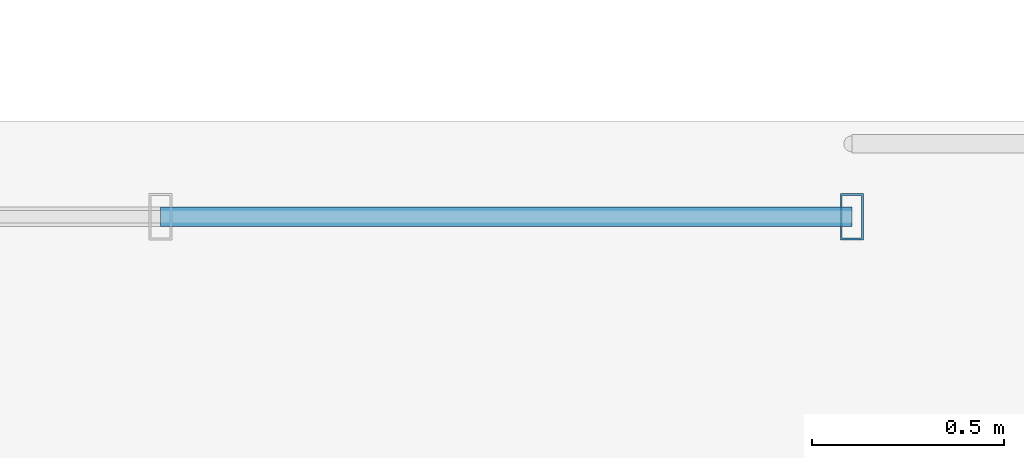
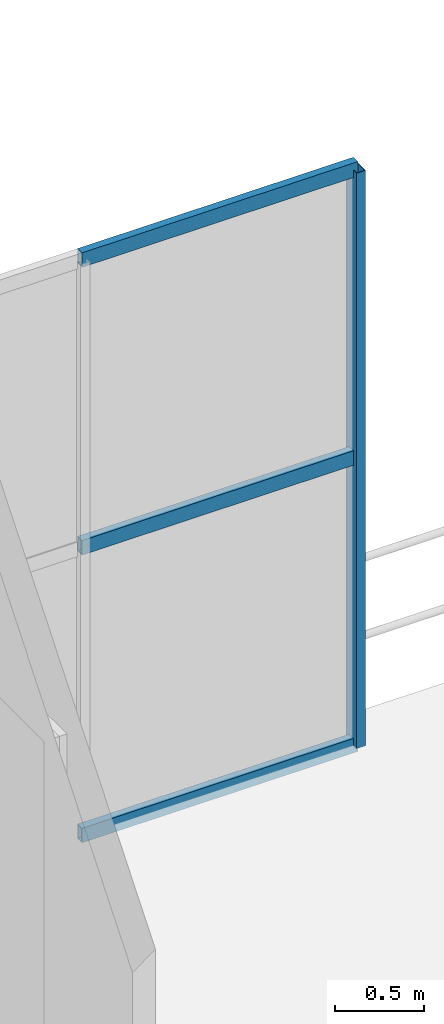
# One storey, part 43 of 122: 4 members, 1 element without a shape of its own.
"""IFC4 building model written with IfcOpenShell, lengths in metres."""

from ifc_helpers import new_model, si_unit, direction, frame, origin, origin_2d, place, context, subcontext, project, spatial, hollow_rectangle, extrude, material, material_profile, profile_set, type_object, element, aggregate, save


model = new_model("IFC4")

# Units and contexts
model_context = context("Model", 3, precision=1e-05, world=origin(), true_north=direction((0.0, 1.0)))
body_context = subcontext(model_context, "Body", "Model", "MODEL_VIEW")
ifc_project = project(units=[si_unit("LENGTHUNIT", "METRE"), si_unit("AREAUNIT", "SQUARE_METRE"), si_unit("VOLUMEUNIT", "CUBIC_METRE"), si_unit("PLANEANGLEUNIT", "RADIAN"), si_unit("MASSUNIT", "GRAM", prefix="KILO")], contexts=[model_context])

# Site, building, storey
site_placement = place(None, origin())
site = spatial("IfcSite", under=ifc_project, at=site_placement, CompositionType="ELEMENT")
building_placement = place(site_placement, origin())
building = spatial("IfcBuilding", under=site, at=building_placement, Name="Sundkrona Museum", CompositionType="ELEMENT")
storey_placement = place(building_placement, frame((0.0, 0.0, 5.39990234375)))
storey = spatial("IfcBuildingStorey", under=building, at=storey_placement, Name="L01", CompositionType="ELEMENT", Elevation=5.39990234375)

# Curtain wall, members
ifc_material_1 = material(Name="Unitised Aluminium-Steel and Ceramic-Clad Curtain Walling", Category="steel")
curtain_wall_type = type_object("IfcCurtainWallType", Name="CW-CL-64x38", PredefinedType="NOTDEFINED", material=ifc_material_1)
curtain_wall_placement = place(storey_placement, origin())
curtain_wall = element("IfcCurtainWall", 1, at=curtain_wall_placement, inside=storey, type_object=curtain_wall_type, Name="L01 Curtain Wall CW-L01-126", PredefinedType="NOTDEFINED")
ifc_material_2 = material(Name="Aluminium EN AW-6060 T66", Category="aluminium")
ifc_material_profile_1 = material_profile(ifc_material_2, hollow_rectangle(XDim=0.06005859375, YDim=0.1201171875, WallThickness=0.0048828125, at=origin_2d()), Name="RHS 120x60x5.0")
ifc_profile_set_1 = profile_set([ifc_material_profile_1], Name="Aluminium EN AW-6060 T66")
member_type_1 = type_object("IfcMemberType", Name="ML-120", PredefinedType="MULLION", material=ifc_profile_set_1)
member_1_placement = place(storey_placement, frame((35.60009765625, 81.75, -0.00390625), z_axis=(0.0, 0.0, 1.0), x_axis=(1.0, 0.0, 0.0)))
member_1 = element("IfcMember", 2, at=member_1_placement, type_object=member_type_1, Name="CW-L01-126 Mullion 05", PredefinedType="MULLION", context=body_context, shape_type="SweptSolid", body=[
    extrude(hollow_rectangle(XDim=0.06005859375, YDim=0.1201171875, WallThickness=0.0048828125, at=origin_2d()), origin(), (0.0, 0.0, 1.0), 3.968017578125),
])
ifc_material_profile_2 = material_profile(ifc_material_2, hollow_rectangle(XDim=0.050048828125, YDim=0.10009765625, WallThickness=0.0048828125, at=origin_2d()), Name="RHS 100x50x5.0")
ifc_profile_set_2 = profile_set([ifc_material_profile_2], Name="Aluminium EN AW-6060 T66")
member_type_2 = type_object("IfcMemberType", Name="TR-100", PredefinedType="USERDEFINED", material=ifc_profile_set_2)
member_2_placement = place(storey_placement, frame((33.800048828125, 81.75, -0.00390625), z_axis=(1.0, 0.0, 0.0), x_axis=(0.0, 1.0, 0.0)))
member_2 = element("IfcMember", 3, at=member_2_placement, type_object=member_type_2, Name="CW-L01-126 Transom 10", ObjectType="TRANSOM", PredefinedType="USERDEFINED", context=body_context, shape_type="SweptSolid", body=[
    extrude(hollow_rectangle(XDim=0.050048828125, YDim=0.10009765625, WallThickness=0.0048828125, at=origin_2d()), origin(), (0.0, 0.0, 1.0), 1.800048828125),
])
member_3_placement = place(storey_placement, frame((33.800048828125, 81.75, 1.97998046875), z_axis=(1.0, 0.0, 0.0), x_axis=(0.0, 1.0, 0.0)))
member_3 = element("IfcMember", 4, at=member_3_placement, type_object=member_type_2, Name="CW-L01-126 Transom 11", ObjectType="TRANSOM", PredefinedType="USERDEFINED", context=body_context, shape_type="SweptSolid", body=[
    extrude(hollow_rectangle(XDim=0.050048828125, YDim=0.10009765625, WallThickness=0.0048828125, at=origin_2d()), origin(), (0.0, 0.0, 1.0), 1.800048828125),
])
member_4_placement = place(storey_placement, frame((33.800048828125, 81.75, 3.964111328125), z_axis=(1.0, 0.0, 0.0), x_axis=(0.0, 1.0, 0.0)))
member_4 = element("IfcMember", 5, at=member_4_placement, type_object=member_type_2, Name="CW-L01-126 Transom 12", ObjectType="TRANSOM", PredefinedType="USERDEFINED", context=body_context, shape_type="SweptSolid", body=[
    extrude(hollow_rectangle(XDim=0.050048828125, YDim=0.10009765625, WallThickness=0.0048828125, at=origin_2d()), origin(), (0.0, 0.0, 1.0), 1.800048828125),
])
aggregate(curtain_wall, [member_1, member_2, member_3, member_4])

save(model, "model.ifc")
